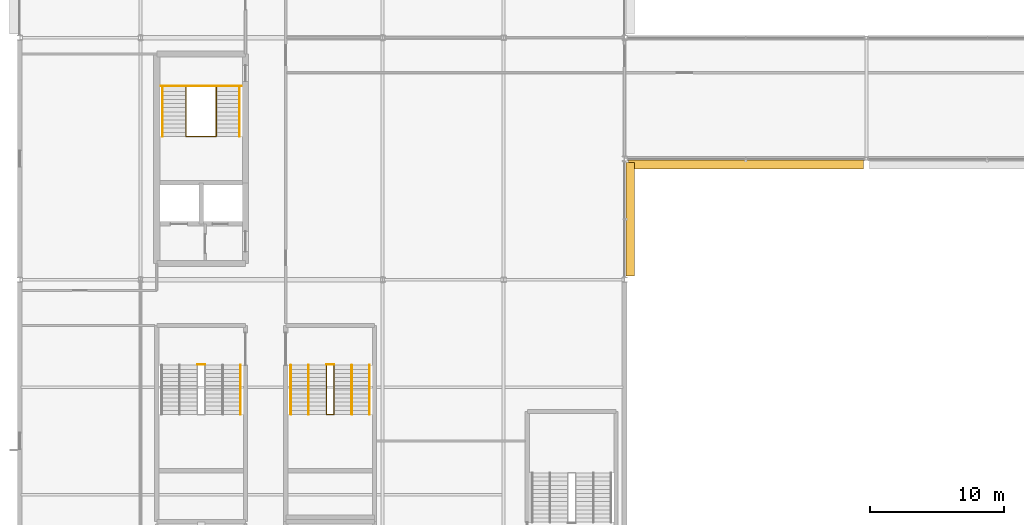
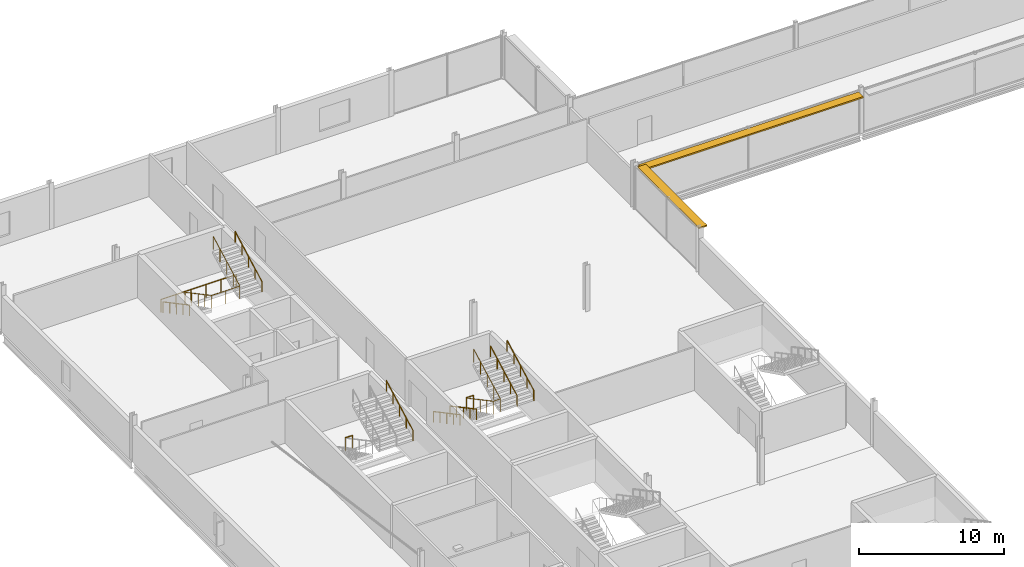
# One storey, part 92 of 98: 12 railings, 2 shading devices.
"""IFC4 building model written with IfcOpenShell, lengths in metres."""

from ifc_helpers import new_model, si_unit, direction, frame, origin, origin_2d, place, context, subcontext, project, spatial, rectangle, circle, extrude, material, type_object, element, save


model = new_model("IFC4")

# Units and contexts
model_context = context("Model", 3, precision=1e-05, world=origin(), true_north=direction((0.0, 1.0)))
body_context = subcontext(model_context, "Body", "Model", "MODEL_VIEW")
ifc_project = project(units=[si_unit("LENGTHUNIT", "METRE"), si_unit("AREAUNIT", "SQUARE_METRE"), si_unit("VOLUMEUNIT", "CUBIC_METRE"), si_unit("PLANEANGLEUNIT", "RADIAN"), si_unit("MASSUNIT", "GRAM", prefix="KILO")], contexts=[model_context])

# Site, building, storey
site_placement = place(None, origin())
site = spatial("IfcSite", under=ifc_project, at=site_placement, CompositionType="ELEMENT")
building_placement = place(site_placement, origin())
building = spatial("IfcBuilding", under=site, at=building_placement, Name="Kisiwana Market Hall", CompositionType="ELEMENT")
storey_placement = place(building_placement, frame((0.0, 0.0, 29.39990234375)))
storey = spatial("IfcBuildingStorey", under=building, at=storey_placement, Name="L06", CompositionType="ELEMENT", Elevation=29.39990234375)

# Railings
ifc_material_1 = material(Name="Steel S275", Category="steel")
railing_type_1 = type_object("IfcRailingType", Name="RL-GUARD-1100", PredefinedType="GUARDRAIL", material=ifc_material_1)
railing_1_placement = place(storey_placement, frame((12.375, 98.325439453125, 0.0)))
element("IfcRailing", 1, at=railing_1_placement, inside=storey, type_object=railing_type_1, Name="Stair ST-W1-L06 inner-well guardrail (RL-955)", PredefinedType="GUARDRAIL", context=body_context, shape_type="SweptSolid", body=[
    extrude(circle(Radius=0.02392578125, at=origin_2d()), frame((0.0, 0.0, 1.076171875), z_axis=(0.0, -0.882528880096, 0.470258201201), x_axis=(1.0, 0.0, 0.0)), (0.0, 0.0, 1.0), 4.14697265625),
    extrude(circle(Radius=0.02392578125, at=origin_2d()), frame((0.0, -3.659912109375, 3.0263671875), z_axis=(1.0, 0.0, 0.0), x_axis=(0.0, 1.0, 0.0)), (0.0, 0.0, 1.0), 2.25),
    extrude(circle(Radius=0.02392578125, at=origin_2d()), frame((2.25, -3.659912109375, 3.0263671875), z_axis=(0.0, 0.88255331184, 0.47021234752), x_axis=(-1.0, 0.0, 0.0)), (0.0, 0.0, 1.0), 4.14697265625),
    extrude(circle(Radius=0.02099609375, at=origin_2d()), origin(), (0.0, 0.0, 1.0), 1.052001953125),
    extrude(circle(Radius=0.02099609375, at=origin_2d()), frame((0.0, -0.9150390625, 0.487548828125)), (0.0, 0.0, 1.0), 1.052001953125),
    extrude(circle(Radius=0.02099609375, at=origin_2d()), frame((0.0, -1.830078125, 0.97509765625)), (0.0, 0.0, 1.0), 1.052001953125),
    extrude(circle(Radius=0.02099609375, at=origin_2d()), frame((0.0, -2.744873046875, 1.462646484375)), (0.0, 0.0, 1.0), 1.052001953125),
    extrude(circle(Radius=0.02099609375, at=origin_2d()), frame((0.0, -3.659912109375, 1.9501953125)), (0.0, 0.0, 1.0), 1.052001953125),
    extrude(circle(Radius=0.02099609375, at=origin_2d()), frame((1.125, -3.659912109375, 1.9501953125)), (0.0, 0.0, 1.0), 1.052001953125),
    extrude(circle(Radius=0.02099609375, at=origin_2d()), frame((2.25, -3.659912109375, 1.9501953125)), (0.0, 0.0, 1.0), 1.052001953125),
    extrude(circle(Radius=0.02099609375, at=origin_2d()), frame((2.25, -2.744873046875, 2.437744140625)), (0.0, 0.0, 1.0), 1.052001953125),
    extrude(circle(Radius=0.02099609375, at=origin_2d()), frame((2.25, -1.830078125, 2.92529296875)), (0.0, 0.0, 1.0), 1.052001953125),
    extrude(circle(Radius=0.02099609375, at=origin_2d()), frame((2.25, -0.9150390625, 3.41259765625)), (0.0, 0.0, 1.0), 1.052001953125),
    extrude(circle(Radius=0.02099609375, at=origin_2d()), frame((2.25, 0.0, 3.900146484375)), (0.0, 0.0, 1.0), 1.052001953125),
])
railing_2_placement = place(storey_placement, frame((10.5048828125, 98.405517578125, 0.0)))
element("IfcRailing", 2, at=railing_2_placement, inside=storey, type_object=railing_type_1, Name="Stair ST-W1-L06 landing edge guardrail (RL-958)", PredefinedType="GUARDRAIL", context=body_context, shape_type="SweptSolid", body=[
    extrude(circle(Radius=0.02392578125, at=origin_2d()), frame((0.0, 0.0, 1.076171875), z_axis=(1.0, 0.0, 0.0), x_axis=(0.0, 1.0, 0.0)), (0.0, 0.0, 1.0), 5.990234375),
    extrude(circle(Radius=0.02099609375, at=origin_2d()), origin(), (0.0, 0.0, 1.0), 1.052001953125),
    extrude(circle(Radius=0.02099609375, at=origin_2d()), frame((1.197998046875, 0.0, 0.0)), (0.0, 0.0, 1.0), 1.052001953125),
    extrude(circle(Radius=0.02099609375, at=origin_2d()), frame((2.39599609375, 0.0, 0.0)), (0.0, 0.0, 1.0), 1.052001953125),
    extrude(circle(Radius=0.02099609375, at=origin_2d()), frame((3.59423828125, 0.0, 0.0)), (0.0, 0.0, 1.0), 1.052001953125),
    extrude(circle(Radius=0.02099609375, at=origin_2d()), frame((4.792236328125, 0.0, 0.0)), (0.0, 0.0, 1.0), 1.052001953125),
    extrude(circle(Radius=0.02099609375, at=origin_2d()), frame((5.990234375, 0.0, 0.0)), (0.0, 0.0, 1.0), 1.052001953125),
])
railing_3_placement = place(storey_placement, frame((13.219970703125, 77.68994140625, 0.0)))
element("IfcRailing", 3, at=railing_3_placement, inside=storey, type_object=railing_type_1, Name="Stair ST-W4-L06 landing edge guardrail (RL-978)", PredefinedType="GUARDRAIL", context=body_context, shape_type="SweptSolid", body=[
    extrude(circle(Radius=0.02392578125, at=origin_2d()), frame((0.0, 0.0, 1.076171875), z_axis=(1.0, 0.0, 0.0), x_axis=(0.0, 1.0, 0.0)), (0.0, 0.0, 1.0), 0.56005859375),
    extrude(circle(Radius=0.02099609375, at=origin_2d()), origin(), (0.0, 0.0, 1.0), 1.052001953125),
    extrude(circle(Radius=0.02099609375, at=origin_2d()), frame((0.56005859375, 0.0, 0.0)), (0.0, 0.0, 1.0), 1.052001953125),
])
railing_4_placement = place(storey_placement, frame((22.820068359375, 77.639892578125, 0.0)))
element("IfcRailing", 4, at=railing_4_placement, inside=storey, type_object=railing_type_1, Name="Stair ST-W8-L06 inner-well guardrail (RL-1003)", PredefinedType="GUARDRAIL", context=body_context, shape_type="SweptSolid", body=[
    extrude(circle(Radius=0.02392578125, at=origin_2d()), frame((0.0, 0.0, 1.076171875), z_axis=(0.0, -0.882528880096, 0.470258201201), x_axis=(1.0, 0.0, 0.0)), (0.0, 0.0, 1.0), 4.14697265625),
    extrude(circle(Radius=0.02392578125, at=origin_2d()), frame((0.0, -3.659912109375, 3.0263671875), z_axis=(1.0, 0.0, 0.0), x_axis=(0.0, 1.0, 0.0)), (0.0, 0.0, 1.0), 0.559814453125),
    extrude(circle(Radius=0.02392578125, at=origin_2d()), frame((0.559814453125, -3.659912109375, 3.0263671875), z_axis=(0.0, 0.88255331184, 0.47021234752), x_axis=(-1.0, 0.0, 0.0)), (0.0, 0.0, 1.0), 4.14697265625),
    extrude(circle(Radius=0.02099609375, at=origin_2d()), origin(), (0.0, 0.0, 1.0), 1.052001953125),
    extrude(circle(Radius=0.02099609375, at=origin_2d()), frame((0.0, -0.9150390625, 0.487548828125)), (0.0, 0.0, 1.0), 1.052001953125),
    extrude(circle(Radius=0.02099609375, at=origin_2d()), frame((0.0, -1.830078125, 0.97509765625)), (0.0, 0.0, 1.0), 1.052001953125),
    extrude(circle(Radius=0.02099609375, at=origin_2d()), frame((0.0, -2.744873046875, 1.462646484375)), (0.0, 0.0, 1.0), 1.052001953125),
    extrude(circle(Radius=0.02099609375, at=origin_2d()), frame((0.0, -3.659912109375, 1.9501953125)), (0.0, 0.0, 1.0), 1.052001953125),
    extrude(circle(Radius=0.02099609375, at=origin_2d()), frame((0.559814453125, -3.659912109375, 1.9501953125)), (0.0, 0.0, 1.0), 1.052001953125),
    extrude(circle(Radius=0.02099609375, at=origin_2d()), frame((0.559814453125, -2.744873046875, 2.437744140625)), (0.0, 0.0, 1.0), 1.052001953125),
    extrude(circle(Radius=0.02099609375, at=origin_2d()), frame((0.559814453125, -1.830078125, 2.92529296875)), (0.0, 0.0, 1.0), 1.052001953125),
    extrude(circle(Radius=0.02099609375, at=origin_2d()), frame((0.559814453125, -0.9150390625, 3.41259765625)), (0.0, 0.0, 1.0), 1.052001953125),
    extrude(circle(Radius=0.02099609375, at=origin_2d()), frame((0.559814453125, 0.0, 3.900146484375)), (0.0, 0.0, 1.0), 1.052001953125),
])
railing_5_placement = place(storey_placement, frame((22.820068359375, 77.68994140625, 0.0)))
element("IfcRailing", 5, at=railing_5_placement, inside=storey, type_object=railing_type_1, Name="Stair ST-W8-L06 landing edge guardrail (RL-1008)", PredefinedType="GUARDRAIL", context=body_context, shape_type="SweptSolid", body=[
    extrude(circle(Radius=0.02392578125, at=origin_2d()), frame((0.0, 0.0, 1.076171875), z_axis=(1.0, 0.0, 0.0), x_axis=(0.0, 1.0, 0.0)), (0.0, 0.0, 1.0), 0.559814453125),
    extrude(circle(Radius=0.02099609375, at=origin_2d()), origin(), (0.0, 0.0, 1.0), 1.052001953125),
    extrude(circle(Radius=0.02099609375, at=origin_2d()), frame((0.559814453125, 0.0, 0.0)), (0.0, 0.0, 1.0), 1.052001953125),
])
ifc_material_2 = material(Name="Steel S275", Category="steel")
railing_type_2 = type_object("IfcRailingType", Name="RL-HAND-900", PredefinedType="HANDRAIL", material=ifc_material_2)
railing_6_placement = place(storey_placement, frame((10.635009765625, 98.325439453125, 0.0)))
element("IfcRailing", 6, at=railing_6_placement, inside=storey, type_object=railing_type_2, Name="Stair ST-W1-L06 flight 1 handrail (RL-956)", PredefinedType="HANDRAIL", context=body_context, shape_type="SweptSolid", body=[
    extrude(circle(Radius=0.02392578125, at=origin_2d()), frame((0.0, 0.0, 0.8759765625), z_axis=(0.0, -0.882528880096, 0.470258201201), x_axis=(1.0, 0.0, 0.0)), (0.0, 0.0, 1.0), 4.14697265625),
    extrude(circle(Radius=0.02099609375, at=origin_2d()), origin(), (0.0, 0.0, 1.0), 0.851806640625),
    extrude(circle(Radius=0.02099609375, at=origin_2d()), frame((0.0, -0.9150390625, 0.487548828125)), (0.0, 0.0, 1.0), 0.851806640625),
    extrude(circle(Radius=0.02099609375, at=origin_2d()), frame((0.0, -1.830078125, 0.97509765625)), (0.0, 0.0, 1.0), 0.851806640625),
    extrude(circle(Radius=0.02099609375, at=origin_2d()), frame((0.0, -2.744873046875, 1.462646484375)), (0.0, 0.0, 1.0), 0.851806640625),
    extrude(circle(Radius=0.02099609375, at=origin_2d()), frame((0.0, -3.659912109375, 1.9501953125)), (0.0, 0.0, 1.0), 0.851806640625),
])
for number, where, name in (
    (7, (16.364990234375, 94.66552734375, 1.9501953125), "Stair ST-W1-L06 flight 2 handrail (RL-957)"),
    (8, (16.429931640625, 73.97998046875, 1.9501953125), "Stair ST-W4-L06 flight 2 handrail (RL-975)"),
):
    element("IfcRailing", number, at=place(storey_placement, frame(where)), inside=storey, type_object=railing_type_2, Name=name, PredefinedType="HANDRAIL", context=body_context, shape_type="SweptSolid", body=[
        extrude(circle(Radius=0.02392578125, at=origin_2d()), frame((0.0, 0.0, 0.8759765625), z_axis=(0.0, 0.88255331184, 0.47021234752), x_axis=(-1.0, 0.0, 0.0)), (0.0, 0.0, 1.0), 4.14697265625),
        extrude(circle(Radius=0.02099609375, at=origin_2d()), origin(), (0.0, 0.0, 1.0), 0.851806640625),
        extrude(circle(Radius=0.02099609375, at=origin_2d()), frame((0.0, 0.9150390625, 0.487548828125)), (0.0, 0.0, 1.0), 0.851806640625),
        extrude(circle(Radius=0.02099609375, at=origin_2d()), frame((0.0, 1.830078125, 0.97509765625)), (0.0, 0.0, 1.0), 0.851806640625),
        extrude(circle(Radius=0.02099609375, at=origin_2d()), frame((0.0, 2.744873046875, 1.46240234375)), (0.0, 0.0, 1.0), 0.851806640625),
        extrude(circle(Radius=0.02099609375, at=origin_2d()), frame((0.0, 3.659912109375, 1.949951171875)), (0.0, 0.0, 1.0), 0.851806640625),
    ])
railing_7_placement = place(storey_placement, frame((20.169921875, 77.639892578125, 0.0)))
element("IfcRailing", 9, at=railing_7_placement, inside=storey, type_object=railing_type_2, Name="Stair ST-W8-L06 flight 1 handrail (RL-1004)", PredefinedType="HANDRAIL", context=body_context, shape_type="SweptSolid", body=[
    extrude(circle(Radius=0.02392578125, at=origin_2d()), frame((0.0, 0.0, 0.8759765625), z_axis=(0.0, -0.882528880096, 0.470258201201), x_axis=(1.0, 0.0, 0.0)), (0.0, 0.0, 1.0), 4.14697265625),
    extrude(circle(Radius=0.02099609375, at=origin_2d()), origin(), (0.0, 0.0, 1.0), 0.851806640625),
    extrude(circle(Radius=0.02099609375, at=origin_2d()), frame((0.0, -0.9150390625, 0.487548828125)), (0.0, 0.0, 1.0), 0.851806640625),
    extrude(circle(Radius=0.02099609375, at=origin_2d()), frame((0.0, -1.830078125, 0.97509765625)), (0.0, 0.0, 1.0), 0.851806640625),
    extrude(circle(Radius=0.02099609375, at=origin_2d()), frame((0.0, -2.744873046875, 1.462646484375)), (0.0, 0.0, 1.0), 0.851806640625),
    extrude(circle(Radius=0.02099609375, at=origin_2d()), frame((0.0, -3.659912109375, 1.9501953125)), (0.0, 0.0, 1.0), 0.851806640625),
])
railing_8_placement = place(storey_placement, frame((26.030029296875, 73.97998046875, 1.9501953125)))
element("IfcRailing", 10, at=railing_8_placement, inside=storey, type_object=railing_type_2, Name="Stair ST-W8-L06 flight 2 handrail (RL-1005)", PredefinedType="HANDRAIL", context=body_context, shape_type="SweptSolid", body=[
    extrude(circle(Radius=0.02392578125, at=origin_2d()), frame((0.0, 0.0, 0.8759765625), z_axis=(0.0, 0.88255331184, 0.47021234752), x_axis=(-1.0, 0.0, 0.0)), (0.0, 0.0, 1.0), 4.14697265625),
    extrude(circle(Radius=0.02099609375, at=origin_2d()), origin(), (0.0, 0.0, 1.0), 0.851806640625),
    extrude(circle(Radius=0.02099609375, at=origin_2d()), frame((0.0, 0.9150390625, 0.487548828125)), (0.0, 0.0, 1.0), 0.851806640625),
    extrude(circle(Radius=0.02099609375, at=origin_2d()), frame((0.0, 1.830078125, 0.97509765625)), (0.0, 0.0, 1.0), 0.851806640625),
    extrude(circle(Radius=0.02099609375, at=origin_2d()), frame((0.0, 2.744873046875, 1.46240234375)), (0.0, 0.0, 1.0), 0.851806640625),
    extrude(circle(Radius=0.02099609375, at=origin_2d()), frame((0.0, 3.659912109375, 1.949951171875)), (0.0, 0.0, 1.0), 0.851806640625),
])
railing_9_placement = place(storey_placement, frame((21.489990234375, 77.639892578125, 0.0)))
element("IfcRailing", 11, at=railing_9_placement, inside=storey, type_object=railing_type_2, Name="Stair ST-W8-L06 flight 1 intermediate handrail (RL-1006)", PredefinedType="HANDRAIL", context=body_context, shape_type="SweptSolid", body=[
    extrude(circle(Radius=0.02392578125, at=origin_2d()), frame((0.0, 0.0, 0.8759765625), z_axis=(0.0, -0.882528880096, 0.470258201201), x_axis=(1.0, 0.0, 0.0)), (0.0, 0.0, 1.0), 4.14697265625),
    extrude(circle(Radius=0.02099609375, at=origin_2d()), origin(), (0.0, 0.0, 1.0), 0.851806640625),
    extrude(circle(Radius=0.02099609375, at=origin_2d()), frame((0.0, -0.9150390625, 0.487548828125)), (0.0, 0.0, 1.0), 0.851806640625),
    extrude(circle(Radius=0.02099609375, at=origin_2d()), frame((0.0, -1.830078125, 0.97509765625)), (0.0, 0.0, 1.0), 0.851806640625),
    extrude(circle(Radius=0.02099609375, at=origin_2d()), frame((0.0, -2.744873046875, 1.462646484375)), (0.0, 0.0, 1.0), 0.851806640625),
    extrude(circle(Radius=0.02099609375, at=origin_2d()), frame((0.0, -3.659912109375, 1.9501953125)), (0.0, 0.0, 1.0), 0.851806640625),
])
railing_10_placement = place(storey_placement, frame((24.7099609375, 73.97998046875, 1.9501953125)))
element("IfcRailing", 12, at=railing_10_placement, inside=storey, type_object=railing_type_2, Name="Stair ST-W8-L06 flight 2 intermediate handrail (RL-1007)", PredefinedType="HANDRAIL", context=body_context, shape_type="SweptSolid", body=[
    extrude(circle(Radius=0.02392578125, at=origin_2d()), frame((0.0, 0.0, 0.8759765625), z_axis=(0.0, 0.88255331184, 0.47021234752), x_axis=(-1.0, 0.0, 0.0)), (0.0, 0.0, 1.0), 4.14697265625),
    extrude(circle(Radius=0.02099609375, at=origin_2d()), origin(), (0.0, 0.0, 1.0), 0.851806640625),
    extrude(circle(Radius=0.02099609375, at=origin_2d()), frame((0.0, 0.9150390625, 0.487548828125)), (0.0, 0.0, 1.0), 0.851806640625),
    extrude(circle(Radius=0.02099609375, at=origin_2d()), frame((0.0, 1.830078125, 0.97509765625)), (0.0, 0.0, 1.0), 0.851806640625),
    extrude(circle(Radius=0.02099609375, at=origin_2d()), frame((0.0, 2.744873046875, 1.46240234375)), (0.0, 0.0, 1.0), 0.851806640625),
    extrude(circle(Radius=0.02099609375, at=origin_2d()), frame((0.0, 3.659912109375, 1.949951171875)), (0.0, 0.0, 1.0), 0.851806640625),
])

# Shading devices
ifc_material_3 = material(Name="Aluminium alloy 6063-T6", Category="aluminium")
shading_device_type = type_object("IfcShadingDeviceType", Name="SHD-JALOUSIE-H", PredefinedType="JALOUSIE", material=ifc_material_3)
shading_device_1_placement = place(storey_placement, frame((54.030029296875, 92.580078125, 3.43994140625), z_axis=(0.0, 0.0, 1.0), x_axis=(1.0, 0.0, 0.0)))
element("IfcShadingDevice", 13, at=shading_device_1_placement, inside=storey, type_object=shading_device_type, Name="Aluminium brise-soleil louvre SHD-136 SD-136", PredefinedType="JALOUSIE", context=body_context, shape_type="SweptSolid", body=[
    extrude(rectangle(XDim=17.48974609375, YDim=0.64990234375, at=origin_2d()), origin(), (0.0, 0.0, 1.0), 0.1201171875),
])
shading_device_2_placement = place(storey_placement, frame((45.419921875, 88.5, 3.43994140625), z_axis=(0.0, 0.0, 1.0), x_axis=(0.0, 1.0, 0.0)))
element("IfcShadingDevice", 14, at=shading_device_2_placement, inside=storey, type_object=shading_device_type, Name="Aluminium brise-soleil louvre SHD-147 SD-147", PredefinedType="JALOUSIE", context=body_context, shape_type="SweptSolid", body=[
    extrude(rectangle(XDim=8.43798828125, YDim=0.64990234375, at=origin_2d()), origin(), (0.0, 0.0, 1.0), 0.1201171875),
])

save(model, "model.ifc")
